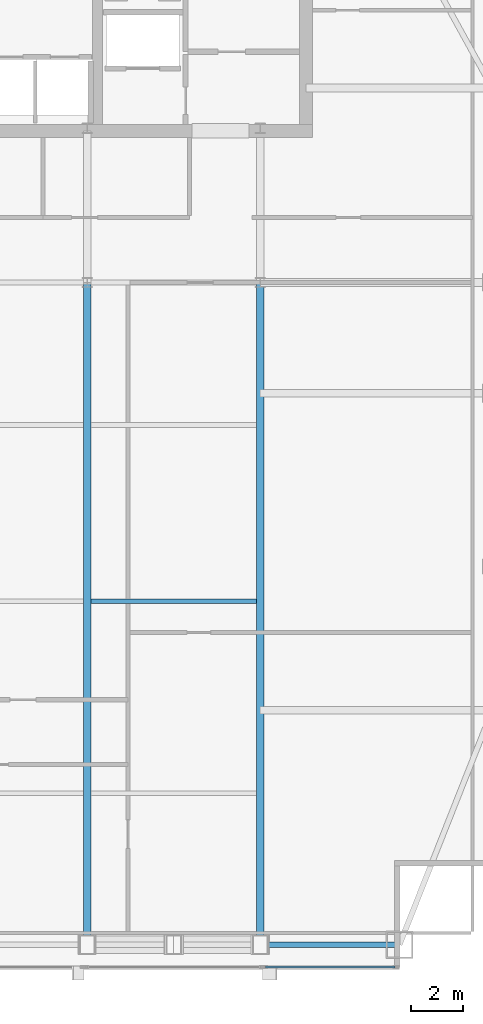
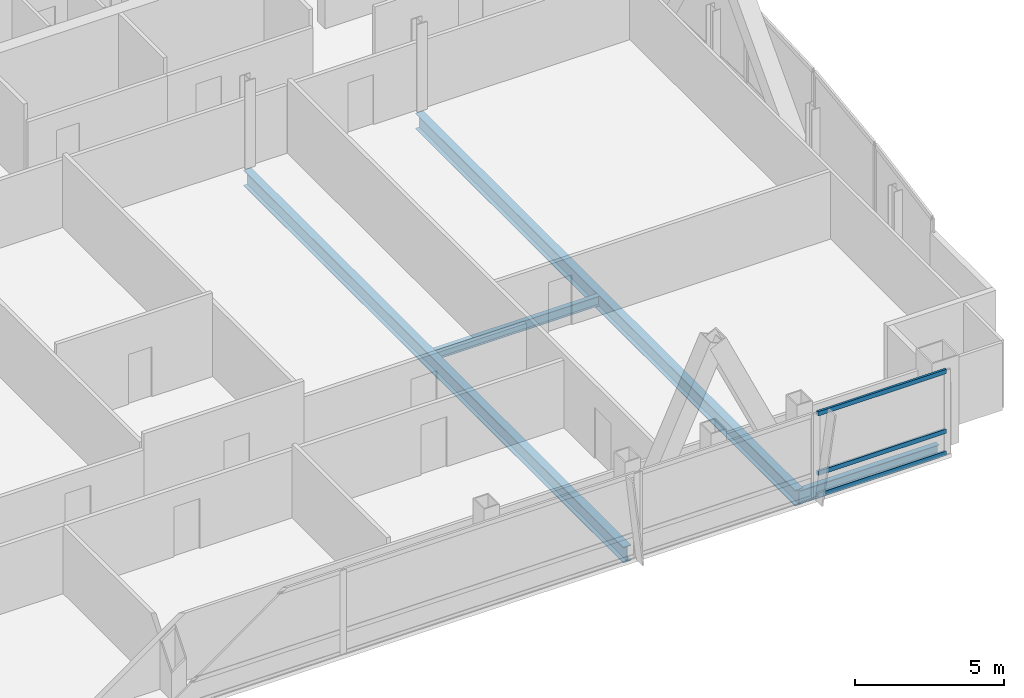
# One storey, part 15 of 30: 4 beams, 3 members, 1 element without a shape of its own.
"""IFC4 building model written with IfcOpenShell, lengths in metres."""

import ifcopenshell
import ifcopenshell.guid

model = None  # the IFC model being written
_history = None  # IfcOwnerHistory: only IFC2X3 demands one
_inside = {}  # id of a spatial element -> (the spatial element, [elements in it])
_under = {}  # id of a project, library or spatial element -> (it, [spatial elements below it])
_declared = {}  # id of a project -> (the project, [libraries it declares])
_typed = {}  # id of a type object -> (the type object, [elements of that type])
_made_of = {}  # id of a material, layer set ... -> (it, [elements and type objects made of it])


def new_model(schema):
    """Start an empty IFC model of exactly this schema.

    Asked for "IFC4X3", IfcOpenShell would pick the latest addendum, in which some entities
    have other attributes; the version numbers below select the first issue.
    IFC2X3 requires an IfcOwnerHistory on every rooted entity: one is made here for all.
    """
    global model, _history
    if schema == "IFC4X3":
        model = ifcopenshell.file(schema_version=(4, 3, 0, 0))
    else:
        model = ifcopenshell.file(schema=schema)
    _inside.clear()
    _under.clear()
    _declared.clear()
    _typed.clear()
    _made_of.clear()
    _history = None
    if model.schema == "IFC2X3":
        org = make("IfcOrganization", Name="unknown")
        user = make(
            "IfcPersonAndOrganization",
            ThePerson=make("IfcPerson", FamilyName="unknown"),
            TheOrganization=org,
        )
        app = make(
            "IfcApplication",
            ApplicationDeveloper=org,
            Version="unknown",
            ApplicationFullName="unknown",
            ApplicationIdentifier="unknown",
        )
        _history = make(
            "IfcOwnerHistory",
            OwningUser=user,
            OwningApplication=app,
            ChangeAction="ADDED",
            CreationDate=0,
        )
    return model


def make(cls, **values):
    """One entity of the class cls with the attributes given. An attribute that is None is left unset."""
    return model.create_entity(
        cls, **{name: value for name, value in values.items() if value is not None}
    )


def rooted(cls, **values):
    """An entity with a GlobalId (a new one), such as an element, a storey or a relation."""
    return make(cls, GlobalId=ifcopenshell.guid.new(), OwnerHistory=_history, **values)


def si_unit(unit_type, name, prefix=None):
    """IfcSIUnit, for example si_unit("LENGTHUNIT", "METRE", prefix="MILLI")."""
    return make("IfcSIUnit", UnitType=unit_type, Prefix=prefix, Name=name)


def assignment(units):
    """IfcUnitAssignment: the units of a project."""
    return None if units is None else make("IfcUnitAssignment", Units=units)


def point(xyz):
    """IfcCartesianPoint."""
    return None if xyz is None else make("IfcCartesianPoint", Coordinates=xyz)


def direction(xyz):
    """IfcDirection."""
    return None if xyz is None else make("IfcDirection", DirectionRatios=xyz)


def frame(location, z_axis=None, x_axis=None):
    """IfcAxis2Placement3D, a coordinate frame: its origin and axes. An axis left out is left unset."""
    return make(
        "IfcAxis2Placement3D",
        Location=point(location),
        Axis=direction(z_axis),
        RefDirection=direction(x_axis),
    )


def frame_2d(location, x_axis=None):
    """IfcAxis2Placement2D, a coordinate frame in the plane: its origin and x axis."""
    return make(
        "IfcAxis2Placement2D", Location=point(location), RefDirection=direction(x_axis)
    )


def origin():
    """The frame at (0, 0, 0) with its axes left unset."""
    return frame((0.0, 0.0, 0.0))


def origin_2d():
    """The frame at (0, 0) in the plane with its x axis left unset."""
    return frame_2d((0.0, 0.0))


def place(relative_to, where):
    """IfcLocalPlacement: puts the frame where relative to a parent placement (None: the world)."""
    return make(
        "IfcLocalPlacement", PlacementRelTo=relative_to, RelativePlacement=where
    )


def context(
    kind, dimensions, precision=None, world=None, true_north=None, identifier=None
):
    """IfcGeometricRepresentationContext, for example the 3D "Model" context."""
    return make(
        "IfcGeometricRepresentationContext",
        ContextIdentifier=identifier,
        ContextType=kind,
        CoordinateSpaceDimension=dimensions,
        Precision=precision,
        WorldCoordinateSystem=world,
        TrueNorth=true_north,
    )


def subcontext(parent, identifier, kind, view, scale=None):
    """IfcGeometricRepresentationSubContext, for example "Body" below "Model"."""
    return make(
        "IfcGeometricRepresentationSubContext",
        ContextIdentifier=identifier,
        ContextType=kind,
        ParentContext=parent,
        TargetScale=scale,
        TargetView=view,
    )


def project(units=None, contexts=None):
    """IfcProject with its units and contexts."""
    return rooted(
        "IfcProject",
        Name="project",
        RepresentationContexts=contexts,
        UnitsInContext=assignment(units),
    )


def spatial(cls, under=None, at=None, **own):
    """A site, building, storey or space (cls), placed at a placement, below another one or the project."""
    s = rooted(cls, ObjectPlacement=at, **own)
    if under is not None:
        _under.setdefault(under.id(), (under, []))[1].append(s)
    return s


def profile(cls, at=None, kind="AREA", **sizes):
    """A parametric profile (cls). Its sizes go by their IFC names, for example OverallWidth=200.0."""
    return make(cls, ProfileType=kind, Position=at, **sizes)


def hollow_rectangle(**sizes):
    """IfcRectangleHollowProfileDef."""
    return profile("IfcRectangleHollowProfileDef", **sizes)


def i_section(**sizes):
    """IfcIShapeProfileDef."""
    return profile("IfcIShapeProfileDef", **sizes)


def extrude(swept, where, along, depth):
    """IfcExtrudedAreaSolid: the profile swept, set in the frame where, extruded along a direction by depth."""
    return make(
        "IfcExtrudedAreaSolid",
        SweptArea=swept,
        Position=where,
        ExtrudedDirection=direction(along),
        Depth=depth,
    )


def shape(context_of_items, identifier, shape_type, items):
    """IfcShapeRepresentation: the items that make up one representation, for example the "Body"."""
    return make(
        "IfcShapeRepresentation",
        ContextOfItems=context_of_items,
        RepresentationIdentifier=identifier,
        RepresentationType=shape_type,
        Items=items,
    )


def material(Name=None, Category=None):
    """IfcMaterial."""
    return make("IfcMaterial", Name=Name, Category=Category)


def material_profile(
    of_material, cross_section, Name=None, Category=None, Priority=None
):
    """IfcMaterialProfile: a cross section and its material."""
    return make(
        "IfcMaterialProfile",
        Name=Name,
        Material=of_material,
        Profile=cross_section,
        Priority=Priority,
        Category=Category,
    )


def profile_set(profiles, Name=None, composite=None):
    """IfcMaterialProfileSet."""
    return make(
        "IfcMaterialProfileSet",
        Name=Name,
        MaterialProfiles=profiles,
        CompositeProfile=composite,
    )


def made_of(thing, what):
    """Note that an element or type object is made of a material, layer set ...; save() writes the relation."""
    if what is not None:
        _made_of.setdefault(what.id(), (what, []))[1].append(thing)
    return thing


def type_object(cls, material=None, **own):
    """A type object (cls), such as IfcWallType, which elements share."""
    return made_of(rooted(cls, **own), material)


def element(
    cls,
    number,
    at=None,
    inside=None,
    cuts=None,
    type_object=None,
    material=None,
    context=None,
    identifier="Body",
    shape_type=None,
    held_by="IfcProductDefinitionShape",
    body=None,
    shapes=None,
    **own,
):
    """One element of the class cls, such as IfcWall. Its Tag is "e" and its number.

    at: its placement. inside: the storey or other place that contains it. cuts: it is an
    opening in that element (IfcRelVoidsElement). A single representation is given by context,
    identifier, shape_type and body (its items); several are given by shapes. held_by: the class
    of the entity that holds the representations. save() writes the other relations.
    """
    e = rooted(cls, Tag="e%d" % number, ObjectPlacement=at, **own)
    if body is not None:
        shapes = [shape(context, identifier, shape_type, body)]
    if shapes is not None:
        e.Representation = make(held_by, Representations=shapes)
    if inside is not None:
        _inside.setdefault(inside.id(), (inside, []))[1].append(e)
    if cuts is not None:
        rooted(
            "IfcRelVoidsElement", RelatingBuildingElement=cuts, RelatedOpeningElement=e
        )
    if type_object is not None:
        _typed.setdefault(type_object.id(), (type_object, []))[1].append(e)
    return made_of(e, material)


def aggregate(whole, parts):
    """IfcRelAggregates: a whole, such as a stair, and the parts it consists of."""
    return rooted("IfcRelAggregates", RelatingObject=whole, RelatedObjects=parts)


def save(model, path):
    """Write the relations noted so far, then the file.

    IfcRelAggregates (storeys below a building ...), IfcRelContainedInSpatialStructure (elements
    in a storey), IfcRelDefinesByType, IfcRelAssociatesMaterial and IfcRelDeclares: one each for
    every whole, place, type object, material and project.
    """
    for whole, parts in _under.values():
        aggregate(whole, parts)
    for where, things in _inside.values():
        rooted(
            "IfcRelContainedInSpatialStructure",
            RelatedElements=things,
            RelatingStructure=where,
        )
    for kind, things in _typed.values():
        rooted("IfcRelDefinesByType", RelatedObjects=things, RelatingType=kind)
    for what, things in _made_of.values():
        rooted("IfcRelAssociatesMaterial", RelatedObjects=things, RelatingMaterial=what)
    for by, libraries in _declared.values():
        rooted("IfcRelDeclares", RelatingContext=by, RelatedDefinitions=libraries)
    model.write(path)


model = new_model("IFC4")

# Units and contexts
model_context = context("Model", 3, precision=1e-05, world=origin(), true_north=direction((0.0, 1.0)))
body_context = subcontext(model_context, "Body", "Model", "MODEL_VIEW")
ifc_project = project(units=[si_unit("LENGTHUNIT", "METRE"), si_unit("AREAUNIT", "SQUARE_METRE"), si_unit("VOLUMEUNIT", "CUBIC_METRE"), si_unit("PLANEANGLEUNIT", "RADIAN"), si_unit("MASSUNIT", "GRAM", prefix="KILO")], contexts=[model_context])

# Site, building, storey
site_placement = place(None, origin())
site = spatial("IfcSite", under=ifc_project, at=site_placement, CompositionType="ELEMENT")
building_placement = place(site_placement, origin())
building = spatial("IfcBuilding", under=site, at=building_placement, Name="Khoronbel Lancet Exchange", CompositionType="ELEMENT")
storey_placement = place(building_placement, frame((0.0, 0.0, 284.199951171875)))
storey = spatial("IfcBuildingStorey", under=building, at=storey_placement, Name="L73", CompositionType="ELEMENT", Elevation=284.199951171875)

# Beams
ifc_material_1 = material(Name="Steel S355", Category="steel")
ifc_material_profile_1 = material_profile(ifc_material_1, i_section(OverallWidth=0.300048828125, OverallDepth=0.64990234375, WebThickness=0.01611328125, FlangeThickness=0.031005859375, at=origin_2d()), Name="HEB 650")
ifc_profile_set_1 = profile_set([ifc_material_profile_1], Name="Steel S355")
beam_type_1 = type_object("IfcBeamType", Name="BM-BG4", PredefinedType="BEAM", material=ifc_profile_set_1)
for number, where, z_axis, x_axis, name in (
    (1, (48.0, 10.14990234375, -0.48486328125), (0.0, 1.0, 0.0), (-1.0, 0.0, 0.0), "Level L73 south primary girder GS5"),
    (2, (54.675048828125, 10.14990234375, -0.48486328125), (0.0, 1.0, 0.0), (-1.0, 0.0, 0.0), "Level L73 south primary girder GS6"),
):
    element("IfcBeam", number, at=place(storey_placement, frame(where, z_axis=z_axis, x_axis=x_axis)), inside=storey, type_object=beam_type_1, Name=name, PredefinedType="BEAM", context=body_context, shape_type="SweptSolid", body=[
        extrude(i_section(OverallWidth=0.300048828125, OverallDepth=0.64990234375, WebThickness=0.01611328125, FlangeThickness=0.031005859375, at=origin_2d()), origin(), (0.0, 0.0, 1.0), 25.550048828125),
    ])
ifc_material_profile_2 = material_profile(ifc_material_1, i_section(OverallWidth=0.179931640625, OverallDepth=0.39990234375, WebThickness=0.008544921875, FlangeThickness=0.013427734375, at=origin_2d()), Name="IPE 400")
ifc_profile_set_2 = profile_set([ifc_material_profile_2], Name="Steel S355")
beam_type_2 = type_object("IfcBeamType", Name="BM-BJ5", PredefinedType="JOIST", material=ifc_profile_set_2)
beam_1_placement = place(storey_placement, frame((48.14990234375, 23.39990234375, -0.35986328125), z_axis=(1.0, 0.0, 0.0), x_axis=(0.0, 1.0, 0.0)))
element("IfcBeam", 3, at=beam_1_placement, inside=storey, type_object=beam_type_2, Name="Level L73 secondary composite joist J10", PredefinedType="JOIST", context=body_context, shape_type="SweptSolid", body=[
    extrude(i_section(OverallWidth=0.179931640625, OverallDepth=0.39990234375, WebThickness=0.008544921875, FlangeThickness=0.013427734375, at=origin_2d()), origin(), (0.0, 0.0, 1.0), 6.375),
])
ifc_material_profile_3 = material_profile(ifc_material_1, i_section(OverallWidth=0.2099609375, OverallDepth=0.550048828125, WebThickness=0.010986328125, FlangeThickness=0.01708984375, at=origin_2d()), Name="IPE 550")
ifc_profile_set_3 = profile_set([ifc_material_profile_3], Name="Steel S355")
beam_type_3 = type_object("IfcBeamType", Name="BM-BSP3", PredefinedType="SPANDREL", material=ifc_profile_set_3)
beam_2_placement = place(storey_placement, frame((54.675048828125, 10.14990234375, -0.43505859375), z_axis=(1.0, 0.0, 0.0), x_axis=(0.0, 1.0, 0.0)))
element("IfcBeam", 4, at=beam_2_placement, inside=storey, type_object=beam_type_3, Name="Level L73 perimeter spandrel beam SP09", PredefinedType="SPANDREL", context=body_context, shape_type="SweptSolid", body=[
    extrude(i_section(OverallWidth=0.2099609375, OverallDepth=0.550048828125, WebThickness=0.010986328125, FlangeThickness=0.01708984375, at=origin_2d()), origin(), (0.0, 0.0, 1.0), 5.375),
])

# Curtain wall, members
ifc_material_2 = material(Name="Low-E Solar Control Insulating Glass", Category="glass")
curtain_wall_type = type_object("IfcCurtainWallType", Name="CW-3", PredefinedType="NOTDEFINED", material=ifc_material_2)
curtain_wall_placement = place(storey_placement, origin())
curtain_wall = element("IfcCurtainWall", 5, at=curtain_wall_placement, inside=storey, type_object=curtain_wall_type, Name="Unitised curtain wall CW-L73-SEV", PredefinedType="NOTDEFINED")
ifc_material_3 = material(Name="Bronze-Anodised Aluminium 6063-T6", Category="aluminium")
ifc_material_profile_4 = material_profile(ifc_material_3, hollow_rectangle(XDim=0.0849609375, YDim=0.179931640625, WallThickness=0.0048828125, at=origin_2d()), Name="ALU TRANSOM 85x180")
ifc_profile_set_4 = profile_set([ifc_material_profile_4], Name="Bronze-Anodised Aluminium 6063-T6")
member_type = type_object("IfcMemberType", Name="MEM-CWT1", PredefinedType="USERDEFINED", material=ifc_profile_set_4)
member_1_placement = place(storey_placement, frame((54.885009765625, 9.2900390625, 0.04248046875), z_axis=(1.0, 0.0, 0.0), x_axis=(0.0, 1.0, 0.0)))
member_1 = element("IfcMember", 6, at=member_1_placement, type_object=member_type, Name="CW3 transom 1.1", ObjectType="TRANSOM", PredefinedType="USERDEFINED", context=body_context, shape_type="SweptSolid", body=[
    extrude(hollow_rectangle(XDim=0.0849609375, YDim=0.179931640625, WallThickness=0.0048828125, at=origin_2d()), origin(), (0.0, 0.0, 1.0), 4.989990234375),
])
member_2_placement = place(storey_placement, frame((54.885009765625, 9.2900390625, 0.949951171875), z_axis=(1.0, 0.0, 0.0), x_axis=(0.0, 1.0, 0.0)))
member_2 = element("IfcMember", 7, at=member_2_placement, type_object=member_type, Name="CW3 transom 1.2", ObjectType="TRANSOM", PredefinedType="USERDEFINED", context=body_context, shape_type="SweptSolid", body=[
    extrude(hollow_rectangle(XDim=0.0849609375, YDim=0.179931640625, WallThickness=0.0048828125, at=origin_2d()), origin(), (0.0, 0.0, 1.0), 4.989990234375),
])
member_3_placement = place(storey_placement, frame((54.885009765625, 9.2900390625, 3.3974609375), z_axis=(1.0, 0.0, 0.0), x_axis=(0.0, 1.0, 0.0)))
member_3 = element("IfcMember", 8, at=member_3_placement, type_object=member_type, Name="CW3 transom 1.3", ObjectType="TRANSOM", PredefinedType="USERDEFINED", context=body_context, shape_type="SweptSolid", body=[
    extrude(hollow_rectangle(XDim=0.0849609375, YDim=0.179931640625, WallThickness=0.0048828125, at=origin_2d()), origin(), (0.0, 0.0, 1.0), 4.989990234375),
])
aggregate(curtain_wall, [member_1, member_2, member_3])

save(model, "model.ifc")
